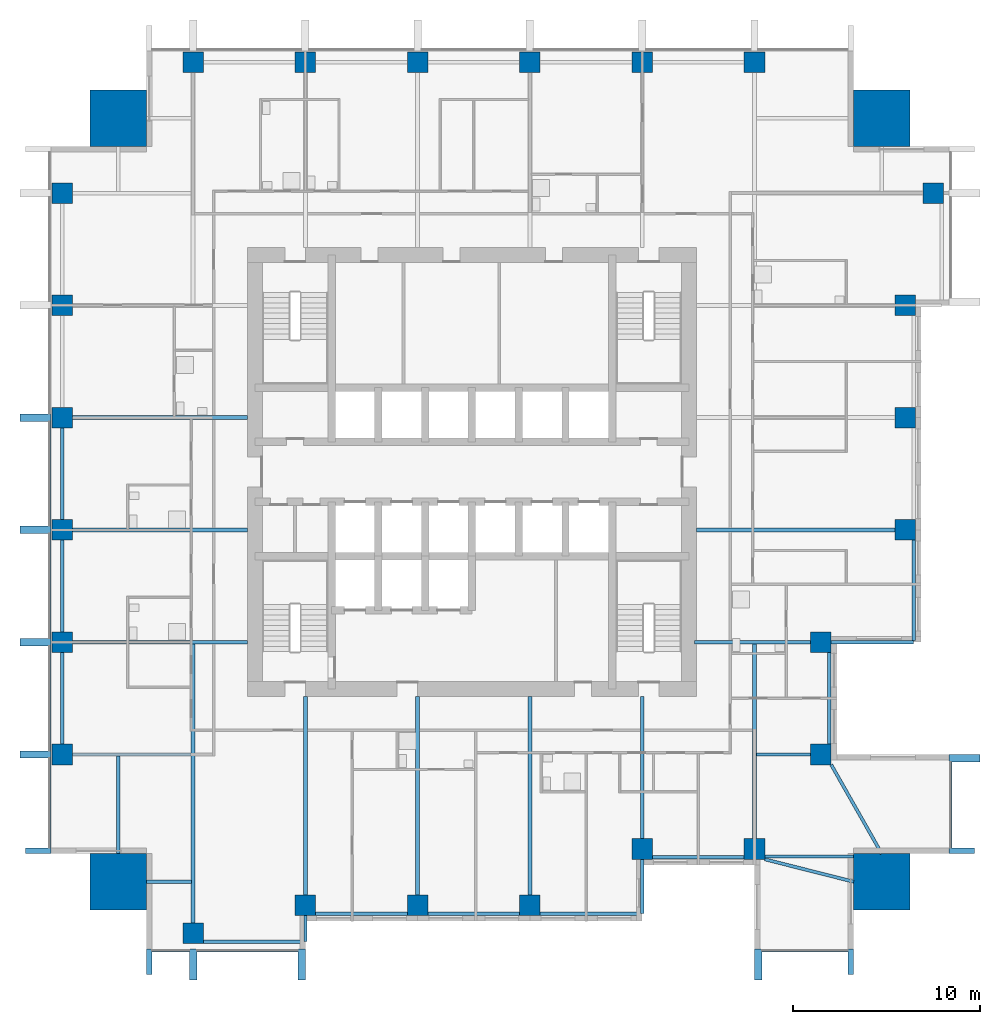
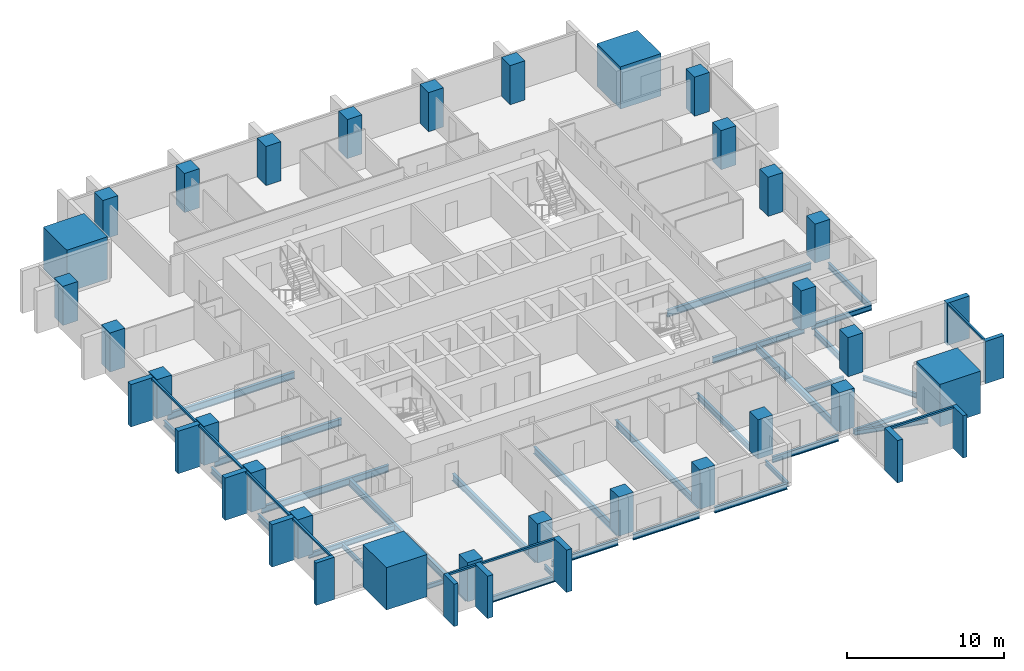
# One storey, part 1 of 10: 31 beams, 28 columns, 20 members, 4 elements without a shape of their own.
"""IFC4 building model written with IfcOpenShell, lengths in metres."""

from ifc_helpers import new_model, si_unit, direction, frame, origin, origin_2d, place, context, subcontext, project, spatial, rectangle, i_section, extrude, material, material_profile, profile_set, type_object, element, aggregate, save


model = new_model("IFC4")

# Units and contexts
model_context = context("Model", 3, precision=1e-05, world=origin(), true_north=direction((0.0, 1.0)))
body_context = subcontext(model_context, "Body", "Model", "MODEL_VIEW")
ifc_project = project(units=[si_unit("LENGTHUNIT", "METRE"), si_unit("AREAUNIT", "SQUARE_METRE"), si_unit("VOLUMEUNIT", "CUBIC_METRE"), si_unit("PLANEANGLEUNIT", "RADIAN"), si_unit("MASSUNIT", "GRAM", prefix="KILO")], contexts=[model_context])

# Site, building, storey
site_placement = place(None, origin())
site = spatial("IfcSite", under=ifc_project, at=site_placement, CompositionType="ELEMENT")
building_placement = place(site_placement, origin())
building = spatial("IfcBuilding", under=site, at=building_placement, Name="Amberfall Residences", CompositionType="ELEMENT")
storey_placement = place(building_placement, frame((0.0, 0.0, 82.0)))
storey = spatial("IfcBuildingStorey", under=building, at=storey_placement, Name="L21", CompositionType="ELEMENT", Elevation=82.0)

# Columns
ifc_material_1 = material(Name="Concrete C70", Category="concrete")
ifc_material_profile_1 = material_profile(ifc_material_1, rectangle(XDim=1.10009765625, YDim=1.10009765625, at=origin_2d()), Name="Column 1100 x 1100 C70")
ifc_profile_set_1 = profile_set([ifc_material_profile_1], Name="Concrete C70")
column_type_1 = type_object("IfcColumnType", Name="Column 1100 x 1100 C70", PredefinedType="COLUMN", material=ifc_profile_set_1)
for number, where, z_axis, x_axis, name in (
    (1, (59.60009765625, 20.85009765625, 0.0), (0.0, 0.0, 1.0), (1.0, 0.0, 0.0), "Column C2 L21 S1"),
    (2, (65.60009765625, 22.35009765625, 0.0), (0.0, 0.0, 1.0), (1.0, 0.0, 0.0), "Column C2 L21 S2"),
    (3, (71.60009765625, 22.35009765625, 0.0), (0.0, 0.0, 1.0), (1.0, 0.0, 0.0), "Column C2 L21 S3"),
    (4, (77.60009765625, 22.35009765625, 0.0), (0.0, 0.0, 1.0), (1.0, 0.0, 0.0), "Column C2 L21 S4"),
    (5, (83.60009765625, 25.35009765625, 0.0), (0.0, 0.0, 1.0), (1.0, 0.0, 0.0), "Column C2 L21 S5"),
    (6, (89.60009765625, 25.35009765625, 0.0), (0.0, 0.0, 1.0), (1.0, 0.0, 0.0), "Column C2 L21 S6"),
    (7, (93.14990234375, 30.39990234375, 0.0), (0.0, 0.0, 1.0), (1.0, 0.0, 0.0), "Column C2 L21 E1"),
    (8, (93.14990234375, 36.39990234375, 0.0), (0.0, 0.0, 1.0), (1.0, 0.0, 0.0), "Column C2 L21 E2"),
    (9, (97.64990234375, 42.39990234375, 0.0), (0.0, 0.0, 1.0), (1.0, 0.0, 0.0), "Column C2 L21 E3"),
    (10, (97.64990234375, 48.39990234375, 0.0), (0.0, 0.0, 1.0), (1.0, 0.0, 0.0), "Column C2 L21 E4"),
    (11, (97.64990234375, 54.39990234375, 0.0), (0.0, 0.0, 1.0), (1.0, 0.0, 0.0), "Column C2 L21 E5"),
    (12, (99.14990234375, 60.39990234375, 0.0), (0.0, 0.0, 1.0), (1.0, 0.0, 0.0), "Column C2 L21 E6"),
    (13, (59.60009765625, 67.39990234375, 0.0), (0.0, 0.0, 1.0), (1.0, 0.0, 0.0), "Column C2 L21 N1"),
    (14, (65.60009765625, 67.39990234375, 0.0), (0.0, 0.0, 1.0), (1.0, 0.0, 0.0), "Column C2 L21 N2"),
    (15, (71.60009765625, 67.39990234375, 0.0), (0.0, 0.0, 1.0), (1.0, 0.0, 0.0), "Column C2 L21 N3"),
    (16, (77.60009765625, 67.39990234375, 0.0), (0.0, 0.0, 1.0), (1.0, 0.0, 0.0), "Column C2 L21 N4"),
    (17, (83.60009765625, 67.39990234375, 0.0), (0.0, 0.0, 1.0), (1.0, 0.0, 0.0), "Column C2 L21 N5"),
    (18, (89.60009765625, 67.39990234375, 0.0), (0.0, 0.0, 1.0), (1.0, 0.0, 0.0), "Column C2 L21 N6"),
    (19, (52.60009765625, 30.39990234375, 0.0), (0.0, 0.0, 1.0), (1.0, 0.0, 0.0), "Column C2 L21 W1"),
    (20, (52.60009765625, 36.39990234375, 0.0), (0.0, 0.0, 1.0), (1.0, 0.0, 0.0), "Column C2 L21 W2"),
    (21, (52.60009765625, 42.39990234375, 0.0), (0.0, 0.0, 1.0), (1.0, 0.0, 0.0), "Column C2 L21 W3"),
    (22, (52.60009765625, 48.39990234375, 0.0), (0.0, 0.0, 1.0), (1.0, 0.0, 0.0), "Column C2 L21 W4"),
    (23, (52.60009765625, 54.39990234375, 0.0), (0.0, 0.0, 1.0), (1.0, 0.0, 0.0), "Column C2 L21 W5"),
    (24, (52.60009765625, 60.39990234375, 0.0), (0.0, 0.0, 1.0), (1.0, 0.0, 0.0), "Column C2 L21 W6"),
):
    element("IfcColumn", number, at=place(storey_placement, frame(where, z_axis=z_axis, x_axis=x_axis)), inside=storey, type_object=column_type_1, Name=name, PredefinedType="COLUMN", context=body_context, shape_type="SweptSolid", body=[
        extrude(rectangle(XDim=1.10009765625, YDim=1.10009765625, at=origin_2d()), origin(), (0.0, 0.0, 1.0), 3.050048828125),
    ])
ifc_material_profile_2 = material_profile(ifc_material_1, rectangle(XDim=3.0, YDim=3.0, at=origin_2d()), Name="Mega column 3000 x 3000 C70")
ifc_profile_set_2 = profile_set([ifc_material_profile_2], Name="Concrete C70")
column_type_2 = type_object("IfcColumnType", Name="Mega column 3000 x 3000 C70", PredefinedType="COLUMN", material=ifc_profile_set_2)
for number, where, z_axis, x_axis, name in (
    (25, (55.60009765625, 23.60009765625, 0.0), (0.0, 0.0, 1.0), (1.0, 0.0, 0.0), "Mega column MC2 L21 SW"),
    (26, (96.39990234375, 23.60009765625, 0.0), (0.0, 0.0, 1.0), (1.0, 0.0, 0.0), "Mega column MC2 L21 SE"),
    (27, (96.39990234375, 64.39990234375, 0.0), (0.0, 0.0, 1.0), (1.0, 0.0, 0.0), "Mega column MC2 L21 NE"),
    (28, (55.60009765625, 64.39990234375, 0.0), (0.0, 0.0, 1.0), (1.0, 0.0, 0.0), "Mega column MC2 L21 NW"),
):
    element("IfcColumn", number, at=place(storey_placement, frame(where, z_axis=z_axis, x_axis=x_axis)), inside=storey, type_object=column_type_2, Name=name, PredefinedType="COLUMN", context=body_context, shape_type="SweptSolid", body=[
        extrude(rectangle(XDim=3.0, YDim=3.0, at=origin_2d()), origin(), (0.0, 0.0, 1.0), 3.300048828125),
    ])

# Curtain wall, members
ifc_material_2 = material(Name="Bronze anodised aluminium and glass", Category="aluminium")
curtain_wall_type = type_object("IfcCurtainWallType", Name="Curtain wall CW1 tower unit", PredefinedType="USERDEFINED", material=ifc_material_2)
curtain_wall_1_placement = place(storey_placement, origin())
curtain_wall_1 = element("IfcCurtainWall", 29, at=curtain_wall_1_placement, inside=storey, type_object=curtain_wall_type, Name="Curtain wall L21 S S1", ObjectType="UNITISED CURTAIN WALL", PredefinedType="USERDEFINED")
ifc_material_3 = material(Name="Bronze anodised aluminium", Category="aluminium")
ifc_material_profile_3 = material_profile(ifc_material_3, rectangle(XDim=0.14990234375, YDim=0.14990234375, at=origin_2d()), Name="CW1 transom 150 x 150 bronze")
ifc_profile_set_3 = profile_set([ifc_material_profile_3], Name="Bronze anodised aluminium")
member_type_1 = type_object("IfcMemberType", Name="CW1 transom 150 x 150 bronze", PredefinedType="USERDEFINED", material=ifc_profile_set_3)
member_1_placement = place(storey_placement, frame((57.39990234375, 19.925048828125, 2.97509765625), z_axis=(1.0, 0.0, 0.0), x_axis=(0.0, 1.0, 0.0)))
member_1 = element("IfcMember", 30, at=member_1_placement, type_object=member_type_1, Name="CW1 transom 1.1", ObjectType="TRANSOM", PredefinedType="USERDEFINED", context=body_context, shape_type="SweptSolid", body=[
    extrude(rectangle(XDim=0.14990234375, YDim=0.14990234375, at=origin_2d()), origin(), (0.0, 0.0, 1.0), 2.0),
])
member_2_placement = place(storey_placement, frame((59.800048828125, 19.925048828125, 2.97509765625), z_axis=(1.0, 0.0, 0.0), x_axis=(0.0, 1.0, 0.0)))
member_2 = element("IfcMember", 31, at=member_2_placement, type_object=member_type_1, Name="CW1 transom 2.1", ObjectType="TRANSOM", PredefinedType="USERDEFINED", context=body_context, shape_type="SweptSolid", body=[
    extrude(rectangle(XDim=0.14990234375, YDim=0.14990234375, at=origin_2d()), origin(), (0.0, 0.0, 1.0), 5.39990234375),
])

# Curtain wall, member
curtain_wall_2_placement = place(storey_placement, origin())
curtain_wall_2 = element("IfcCurtainWall", 32, at=curtain_wall_2_placement, inside=storey, type_object=curtain_wall_type, Name="Curtain wall L21 S S9", ObjectType="UNITISED CURTAIN WALL", PredefinedType="USERDEFINED")
member_3_placement = place(storey_placement, frame((90.0, 19.925048828125, 2.97509765625), z_axis=(1.0, 0.0, 0.0), x_axis=(0.0, 1.0, 0.0)))
member_3 = element("IfcMember", 33, at=member_3_placement, type_object=member_type_1, Name="CW1 transom 1.1", ObjectType="TRANSOM", PredefinedType="USERDEFINED", context=body_context, shape_type="SweptSolid", body=[
    extrude(rectangle(XDim=0.14990234375, YDim=0.14990234375, at=origin_2d()), origin(), (0.0, 0.0, 1.0), 4.60009765625),
])

curtain_wall_3_placement = place(storey_placement, origin())
curtain_wall_3 = element("IfcCurtainWall", 34, at=curtain_wall_3_placement, inside=storey, type_object=curtain_wall_type, Name="Curtain wall L21 E E1", ObjectType="UNITISED CURTAIN WALL", PredefinedType="USERDEFINED")
member_4_placement = place(storey_placement, frame((100.074951171875, 25.39990234375, 2.97509765625), z_axis=(0.0, 1.0, 0.0), x_axis=(-1.0, 0.0, 0.0)))
member_4 = element("IfcMember", 35, at=member_4_placement, type_object=member_type_1, Name="CW1 transom 1.1", ObjectType="TRANSOM", PredefinedType="USERDEFINED", context=body_context, shape_type="SweptSolid", body=[
    extrude(rectangle(XDim=0.14990234375, YDim=0.14990234375, at=origin_2d()), origin(), (0.0, 0.0, 1.0), 4.60009765625),
])

# Curtain wall, members
curtain_wall_4_placement = place(storey_placement, origin())
curtain_wall_4 = element("IfcCurtainWall", 36, at=curtain_wall_4_placement, inside=storey, type_object=curtain_wall_type, Name="Curtain wall L21 W W1", ObjectType="UNITISED CURTAIN WALL", PredefinedType="USERDEFINED")
member_5_placement = place(storey_placement, frame((51.925048828125, 48.199951171875, 2.97509765625), z_axis=(0.0, -1.0, 0.0), x_axis=(1.0, 0.0, 0.0)))
member_5 = element("IfcMember", 37, at=member_5_placement, type_object=member_type_1, Name="CW1 transom 4.1", ObjectType="TRANSOM", PredefinedType="USERDEFINED", context=body_context, shape_type="SweptSolid", body=[
    extrude(rectangle(XDim=0.14990234375, YDim=0.14990234375, at=origin_2d()), origin(), (0.0, 0.0, 1.0), 5.599853515625),
])
member_6_placement = place(storey_placement, frame((51.925048828125, 42.199951171875, 2.97509765625), z_axis=(0.0, -1.0, 0.0), x_axis=(1.0, 0.0, 0.0)))
member_6 = element("IfcMember", 38, at=member_6_placement, type_object=member_type_1, Name="CW1 transom 5.1", ObjectType="TRANSOM", PredefinedType="USERDEFINED", context=body_context, shape_type="SweptSolid", body=[
    extrude(rectangle(XDim=0.14990234375, YDim=0.14990234375, at=origin_2d()), origin(), (0.0, 0.0, 1.0), 5.599853515625),
])
member_7_placement = place(storey_placement, frame((51.925048828125, 36.199951171875, 2.97509765625), z_axis=(0.0, -1.0, 0.0), x_axis=(1.0, 0.0, 0.0)))
member_7 = element("IfcMember", 39, at=member_7_placement, type_object=member_type_1, Name="CW1 transom 6.1", ObjectType="TRANSOM", PredefinedType="USERDEFINED", context=body_context, shape_type="SweptSolid", body=[
    extrude(rectangle(XDim=0.14990234375, YDim=0.14990234375, at=origin_2d()), origin(), (0.0, 0.0, 1.0), 5.599853515625),
])
member_8_placement = place(storey_placement, frame((51.925048828125, 30.199951171875, 2.97509765625), z_axis=(0.0, -1.0, 0.0), x_axis=(1.0, 0.0, 0.0)))
member_8 = element("IfcMember", 40, at=member_8_placement, type_object=member_type_1, Name="CW1 transom 7.1", ObjectType="TRANSOM", PredefinedType="USERDEFINED", context=body_context, shape_type="SweptSolid", body=[
    extrude(rectangle(XDim=0.14990234375, YDim=0.14990234375, at=origin_2d()), origin(), (0.0, 0.0, 1.0), 4.800048828125),
])

# Beams
ifc_material_4 = material(Name="Steel S355", Category="steel")
ifc_material_profile_4 = material_profile(ifc_material_4, i_section(OverallWidth=0.171142578125, OverallDepth=0.351318359375, WebThickness=0.007080078125, FlangeThickness=0.009765625, FilletRadius=0.01025390625, at=origin_2d()), Name="UB 356x171x45")
ifc_profile_set_4 = profile_set([ifc_material_profile_4], Name="Steel S355")
beam_type_1 = type_object("IfcBeamType", Name="Cantilever girder UB 356x171x45", PredefinedType="BEAM", material=ifc_profile_set_4)
beam_1_placement = place(storey_placement, frame((65.60009765625, 21.800048828125, -0.42578125), z_axis=(0.0, -1.0, 0.0), x_axis=(1.0, 0.0, 0.0)))
element("IfcBeam", 41, at=beam_1_placement, inside=storey, type_object=beam_type_1, Name="Cantilever girder B8 L21 06", PredefinedType="BEAM", context=body_context, shape_type="SweptSolid", body=[
    extrude(i_section(OverallWidth=0.171142578125, OverallDepth=0.351318359375, WebThickness=0.007080078125, FlangeThickness=0.009765625, FilletRadius=0.01025390625, at=origin_2d()), origin(), (0.0, 0.0, 1.0), 1.400146484375),
])
beam_2_placement = place(storey_placement, frame((83.60009765625, 24.800048828125, -0.42578125), z_axis=(0.0, -1.0, 0.0), x_axis=(1.0, 0.0, 0.0)))
element("IfcBeam", 42, at=beam_2_placement, inside=storey, type_object=beam_type_1, Name="Cantilever girder B8 L21 07", PredefinedType="BEAM", context=body_context, shape_type="SweptSolid", body=[
    extrude(i_section(OverallWidth=0.171142578125, OverallDepth=0.351318359375, WebThickness=0.007080078125, FlangeThickness=0.009765625, FilletRadius=0.01025390625, at=origin_2d()), origin(), (0.0, 0.0, 1.0), 2.900146484375),
])
ifc_material_profile_5 = material_profile(ifc_material_4, i_section(OverallWidth=0.177734375, OverallDepth=0.402587890625, WebThickness=0.0078125, FlangeThickness=0.010986328125, FilletRadius=0.01025390625, at=origin_2d()), Name="UB 406x178x54")
ifc_profile_set_5 = profile_set([ifc_material_profile_5], Name="Steel S355")
beam_type_2 = type_object("IfcBeamType", Name="Cantilever girder UB 406x178x54", PredefinedType="BEAM", material=ifc_profile_set_5)
beam_3_placement = place(storey_placement, frame((93.699951171875, 36.39990234375, -0.451416015625), z_axis=(1.0, 0.0, 0.0), x_axis=(0.0, 1.0, 0.0)))
element("IfcBeam", 43, at=beam_3_placement, inside=storey, type_object=beam_type_2, Name="Cantilever girder B9 L21 19", PredefinedType="BEAM", context=body_context, shape_type="SweptSolid", body=[
    extrude(i_section(OverallWidth=0.177734375, OverallDepth=0.402587890625, WebThickness=0.0078125, FlangeThickness=0.010986328125, FilletRadius=0.01025390625, at=origin_2d()), origin(), (0.0, 0.0, 1.0), 4.400146484375),
])

# Member
ifc_material_profile_6 = material_profile(ifc_material_3, rectangle(XDim=1.35009765625, YDim=0.300048828125, at=origin_2d()), Name="Corner fin 300 x 1350 bronze")
ifc_profile_set_6 = profile_set([ifc_material_profile_6], Name="Bronze anodised aluminium")
member_type_2 = type_object("IfcMemberType", Name="Corner fin 300 x 1350 bronze", PredefinedType="MULLION", material=ifc_profile_set_6)
member_9_placement = place(storey_placement, frame((57.25, 19.324951171875, -0.25), z_axis=(0.0, 0.0, 1.0), x_axis=(0.0, 1.0, 0.0)))
member_9 = element("IfcMember", 44, at=member_9_placement, type_object=member_type_2, Name="CW FIN 1", PredefinedType="MULLION", context=body_context, shape_type="SweptSolid", body=[
    extrude(rectangle(XDim=1.35009765625, YDim=0.300048828125, at=origin_2d()), origin(), (0.0, 0.0, 1.0), 3.300048828125),
])

member_10_placement = place(storey_placement, frame((94.75, 19.324951171875, -0.25), z_axis=(0.0, 0.0, 1.0), x_axis=(0.0, 1.0, 0.0)))
member_10 = element("IfcMember", 45, at=member_10_placement, type_object=member_type_2, Name="CW FIN 2", PredefinedType="MULLION", context=body_context, shape_type="SweptSolid", body=[
    extrude(rectangle(XDim=1.35009765625, YDim=0.300048828125, at=origin_2d()), origin(), (0.0, 0.0, 1.0), 3.300048828125),
])

member_11_placement = place(storey_placement, frame((100.675048828125, 25.25, -0.25), z_axis=(0.0, 0.0, 1.0), x_axis=(-1.0, 0.0, 0.0)))
member_11 = element("IfcMember", 46, at=member_11_placement, type_object=member_type_2, Name="CW FIN 1", PredefinedType="MULLION", context=body_context, shape_type="SweptSolid", body=[
    extrude(rectangle(XDim=1.35009765625, YDim=0.300048828125, at=origin_2d()), origin(), (0.0, 0.0, 1.0), 3.300048828125),
])

member_12_placement = place(storey_placement, frame((51.324951171875, 25.25, -0.25), z_axis=(0.0, 0.0, 1.0), x_axis=(1.0, 0.0, 0.0)))
member_12 = element("IfcMember", 47, at=member_12_placement, type_object=member_type_2, Name="CW FIN 8", PredefinedType="MULLION", context=body_context, shape_type="SweptSolid", body=[
    extrude(rectangle(XDim=1.35009765625, YDim=0.300048828125, at=origin_2d()), origin(), (0.0, 0.0, 1.0), 3.300048828125),
])

# Beams
ifc_material_profile_7 = material_profile(ifc_material_4, i_section(OverallWidth=0.18994140625, OverallDepth=0.453369140625, WebThickness=0.008544921875, FlangeThickness=0.0126953125, FilletRadius=0.01025390625, at=origin_2d()), Name="UB 457x191x67")
ifc_profile_set_7 = profile_set([ifc_material_profile_7], Name="Steel S355")
beam_type_3 = type_object("IfcBeamType", Name="Edge beam UB 457x191x67", PredefinedType="SPANDREL", material=ifc_profile_set_7)
beam_4_placement = place(storey_placement, frame((60.14990234375, 20.39990234375, -0.476806640625), z_axis=(1.0, 0.0, 0.0), x_axis=(0.0, 1.0, 0.0)))
element("IfcBeam", 48, at=beam_4_placement, inside=storey, type_object=beam_type_3, Name="Edge beam B1 L21 01", PredefinedType="SPANDREL", context=body_context, shape_type="SweptSolid", body=[
    extrude(i_section(OverallWidth=0.18994140625, OverallDepth=0.453369140625, WebThickness=0.008544921875, FlangeThickness=0.0126953125, FilletRadius=0.01025390625, at=origin_2d()), origin(), (0.0, 0.0, 1.0), 5.3701171875),
])
for number, where, z_axis, x_axis, name in (
    (49, (66.14990234375, 21.89990234375, -0.476806640625), (1.0, 0.0, 0.0), (0.0, 1.0, 0.0), "Edge beam B1 L21 02"),
    (50, (72.14990234375, 21.89990234375, -0.476806640625), (1.0, 0.0, 0.0), (0.0, 1.0, 0.0), "Edge beam B1 L21 03"),
):
    element("IfcBeam", number, at=place(storey_placement, frame(where, z_axis=z_axis, x_axis=x_axis)), inside=storey, type_object=beam_type_3, Name=name, PredefinedType="SPANDREL", context=body_context, shape_type="SweptSolid", body=[
        extrude(i_section(OverallWidth=0.18994140625, OverallDepth=0.453369140625, WebThickness=0.008544921875, FlangeThickness=0.0126953125, FilletRadius=0.01025390625, at=origin_2d()), origin(), (0.0, 0.0, 1.0), 4.900146484375),
    ])
beam_5_placement = place(storey_placement, frame((78.14990234375, 21.89990234375, -0.476806640625), z_axis=(1.0, 0.0, 0.0), x_axis=(0.0, 1.0, 0.0)))
element("IfcBeam", 51, at=beam_5_placement, inside=storey, type_object=beam_type_3, Name="Edge beam B1 L21 04", PredefinedType="SPANDREL", context=body_context, shape_type="SweptSolid", body=[
    extrude(i_section(OverallWidth=0.18994140625, OverallDepth=0.453369140625, WebThickness=0.008544921875, FlangeThickness=0.0126953125, FilletRadius=0.01025390625, at=origin_2d()), origin(), (0.0, 0.0, 1.0), 5.3701171875),
])
for number, where, z_axis, x_axis, name in (
    (52, (84.14990234375, 24.89990234375, -0.476806640625), (1.0, 0.0, 0.0), (0.0, 1.0, 0.0), "Edge beam B1 L21 05"),
    (53, (93.60009765625, 30.949951171875, -0.476806640625), (0.0, 1.0, 0.0), (-1.0, 0.0, 0.0), "Edge beam B1 L21 14"),
):
    element("IfcBeam", number, at=place(storey_placement, frame(where, z_axis=z_axis, x_axis=x_axis)), inside=storey, type_object=beam_type_3, Name=name, PredefinedType="SPANDREL", context=body_context, shape_type="SweptSolid", body=[
        extrude(i_section(OverallWidth=0.18994140625, OverallDepth=0.453369140625, WebThickness=0.008544921875, FlangeThickness=0.0126953125, FilletRadius=0.01025390625, at=origin_2d()), origin(), (0.0, 0.0, 1.0), 4.900146484375),
    ])
beam_6_placement = place(storey_placement, frame((98.10009765625, 36.47998046875, -0.476806640625), z_axis=(0.0, 1.0, 0.0), x_axis=(-1.0, 0.0, 0.0)))
element("IfcBeam", 54, at=beam_6_placement, inside=storey, type_object=beam_type_3, Name="Edge beam B1 L21 15", PredefinedType="SPANDREL", context=body_context, shape_type="SweptSolid", body=[
    extrude(i_section(OverallWidth=0.18994140625, OverallDepth=0.453369140625, WebThickness=0.008544921875, FlangeThickness=0.0126953125, FilletRadius=0.01025390625, at=origin_2d()), origin(), (0.0, 0.0, 1.0), 5.3701171875),
])
for number, where, z_axis, x_axis, name in (
    (55, (52.60009765625, 30.949951171875, -0.476806640625), (0.0, 1.0, 0.0), (-1.0, 0.0, 0.0), "Edge beam B1 L21 38"),
    (56, (52.60009765625, 36.949951171875, -0.476806640625), (0.0, 1.0, 0.0), (-1.0, 0.0, 0.0), "Edge beam B1 L21 39"),
    (57, (52.60009765625, 42.949951171875, -0.476806640625), (0.0, 1.0, 0.0), (-1.0, 0.0, 0.0), "Edge beam B1 L21 40"),
):
    element("IfcBeam", number, at=place(storey_placement, frame(where, z_axis=z_axis, x_axis=x_axis)), inside=storey, type_object=beam_type_3, Name=name, PredefinedType="SPANDREL", context=body_context, shape_type="SweptSolid", body=[
        extrude(i_section(OverallWidth=0.18994140625, OverallDepth=0.453369140625, WebThickness=0.008544921875, FlangeThickness=0.0126953125, FilletRadius=0.01025390625, at=origin_2d()), origin(), (0.0, 0.0, 1.0), 4.900146484375),
    ])

# Member
ifc_material_profile_8 = material_profile(ifc_material_3, rectangle(XDim=1.64990234375, YDim=0.39990234375, at=origin_2d()), Name="Fin 400 x 1650 bronze")
ifc_profile_set_8 = profile_set([ifc_material_profile_8], Name="Bronze anodised aluminium")
member_type_3 = type_object("IfcMemberType", Name="Fin 400 x 1650 bronze", PredefinedType="MULLION", material=ifc_profile_set_8)
member_13_placement = place(storey_placement, frame((59.60009765625, 19.175048828125, -0.25), z_axis=(0.0, 0.0, 1.0), x_axis=(0.0, 1.0, 0.0)))
member_13 = element("IfcMember", 58, at=member_13_placement, type_object=member_type_3, Name="CW FIN 2", PredefinedType="MULLION", context=body_context, shape_type="SweptSolid", body=[
    extrude(rectangle(XDim=1.64990234375, YDim=0.39990234375, at=origin_2d()), origin(), (0.0, 0.0, 1.0), 3.300048828125),
])

member_14_placement = place(storey_placement, frame((65.39990234375, 19.175048828125, -0.25), z_axis=(0.0, 0.0, 1.0), x_axis=(0.0, 1.0, 0.0)))
member_14 = element("IfcMember", 59, at=member_14_placement, type_object=member_type_3, Name="CW FIN 3", PredefinedType="MULLION", context=body_context, shape_type="SweptSolid", body=[
    extrude(rectangle(XDim=1.64990234375, YDim=0.39990234375, at=origin_2d()), origin(), (0.0, 0.0, 1.0), 3.300048828125),
])

aggregate(curtain_wall_1, [member_9, member_13, member_14, member_1, member_2])

member_15_placement = place(storey_placement, frame((89.800048828125, 19.175048828125, -0.25), z_axis=(0.0, 0.0, 1.0), x_axis=(0.0, 1.0, 0.0)))
member_15 = element("IfcMember", 60, at=member_15_placement, type_object=member_type_3, Name="CW FIN 1", PredefinedType="MULLION", context=body_context, shape_type="SweptSolid", body=[
    extrude(rectangle(XDim=1.64990234375, YDim=0.39990234375, at=origin_2d()), origin(), (0.0, 0.0, 1.0), 3.300048828125),
])

aggregate(curtain_wall_2, [member_15, member_10, member_3])

member_16_placement = place(storey_placement, frame((100.824951171875, 30.199951171875, -0.25), z_axis=(0.0, 0.0, 1.0), x_axis=(-1.0, 0.0, 0.0)))
member_16 = element("IfcMember", 61, at=member_16_placement, type_object=member_type_3, Name="CW FIN 2", PredefinedType="MULLION", context=body_context, shape_type="SweptSolid", body=[
    extrude(rectangle(XDim=1.64990234375, YDim=0.39990234375, at=origin_2d()), origin(), (0.0, 0.0, 1.0), 3.300048828125),
])

aggregate(curtain_wall_3, [member_11, member_16, member_4])

member_17_placement = place(storey_placement, frame((51.175048828125, 48.39990234375, -0.25), z_axis=(0.0, 0.0, 1.0), x_axis=(1.0, 0.0, 0.0)))
member_17 = element("IfcMember", 62, at=member_17_placement, type_object=member_type_3, Name="CW FIN 4", PredefinedType="MULLION", context=body_context, shape_type="SweptSolid", body=[
    extrude(rectangle(XDim=1.64990234375, YDim=0.39990234375, at=origin_2d()), origin(), (0.0, 0.0, 1.0), 3.300048828125),
])

member_18_placement = place(storey_placement, frame((51.175048828125, 42.39990234375, -0.25), z_axis=(0.0, 0.0, 1.0), x_axis=(1.0, 0.0, 0.0)))
member_18 = element("IfcMember", 63, at=member_18_placement, type_object=member_type_3, Name="CW FIN 5", PredefinedType="MULLION", context=body_context, shape_type="SweptSolid", body=[
    extrude(rectangle(XDim=1.64990234375, YDim=0.39990234375, at=origin_2d()), origin(), (0.0, 0.0, 1.0), 3.300048828125),
])

member_19_placement = place(storey_placement, frame((51.175048828125, 36.39990234375, -0.25), z_axis=(0.0, 0.0, 1.0), x_axis=(1.0, 0.0, 0.0)))
member_19 = element("IfcMember", 64, at=member_19_placement, type_object=member_type_3, Name="CW FIN 6", PredefinedType="MULLION", context=body_context, shape_type="SweptSolid", body=[
    extrude(rectangle(XDim=1.64990234375, YDim=0.39990234375, at=origin_2d()), origin(), (0.0, 0.0, 1.0), 3.300048828125),
])

member_20_placement = place(storey_placement, frame((51.175048828125, 30.39990234375, -0.25), z_axis=(0.0, 0.0, 1.0), x_axis=(1.0, 0.0, 0.0)))
member_20 = element("IfcMember", 65, at=member_20_placement, type_object=member_type_3, Name="CW FIN 7", PredefinedType="MULLION", context=body_context, shape_type="SweptSolid", body=[
    extrude(rectangle(XDim=1.64990234375, YDim=0.39990234375, at=origin_2d()), origin(), (0.0, 0.0, 1.0), 3.300048828125),
])

aggregate(curtain_wall_4, [member_17, member_18, member_19, member_20, member_12, member_5, member_6, member_7, member_8])

# Beams
ifc_material_profile_9 = material_profile(ifc_material_4, i_section(OverallWidth=0.171142578125, OverallDepth=0.351318359375, WebThickness=0.007080078125, FlangeThickness=0.009765625, FilletRadius=0.01025390625, at=origin_2d()), Name="UB 356x171x45")
ifc_profile_set_9 = profile_set([ifc_material_profile_9], Name="Steel S355")
beam_type_4 = type_object("IfcBeamType", Name="Floor girder UB 356x171x45", PredefinedType="BEAM", material=ifc_profile_set_9)
beam_7_placement = place(storey_placement, frame((92.60009765625, 30.39990234375, -0.42578125), z_axis=(-1.0, 0.0, 0.0), x_axis=(0.0, -1.0, 0.0)))
element("IfcBeam", 66, at=beam_7_placement, inside=storey, type_object=beam_type_4, Name="Floor girder B11 L21 21", PredefinedType="BEAM", context=body_context, shape_type="SweptSolid", body=[
    extrude(i_section(OverallWidth=0.171142578125, OverallDepth=0.351318359375, WebThickness=0.007080078125, FlangeThickness=0.009765625, FilletRadius=0.01025390625, at=origin_2d()), origin(), (0.0, 0.0, 1.0), 2.880126953125),
])
ifc_material_profile_10 = material_profile(ifc_material_4, i_section(OverallWidth=0.177734375, OverallDepth=0.402587890625, WebThickness=0.0078125, FlangeThickness=0.010986328125, FilletRadius=0.01025390625, at=origin_2d()), Name="UB 406x178x54")
ifc_profile_set_10 = profile_set([ifc_material_profile_10], Name="Steel S355")
beam_type_5 = type_object("IfcBeamType", Name="Floor girder UB 406x178x54", PredefinedType="BEAM", material=ifc_profile_set_10)
beam_8_placement = place(storey_placement, frame((53.14990234375, 30.39990234375, -0.451416015625), z_axis=(1.0, 0.0, 0.0), x_axis=(0.0, 1.0, 0.0)))
element("IfcBeam", 67, at=beam_8_placement, inside=storey, type_object=beam_type_5, Name="Floor girder B4 L21 43", PredefinedType="BEAM", context=body_context, shape_type="SweptSolid", body=[
    extrude(i_section(OverallWidth=0.177734375, OverallDepth=0.402587890625, WebThickness=0.0078125, FlangeThickness=0.010986328125, FilletRadius=0.01025390625, at=origin_2d()), origin(), (0.0, 0.0, 1.0), 6.330078125),
])
ifc_material_profile_11 = material_profile(ifc_material_4, i_section(OverallWidth=0.19140625, OverallDepth=0.4599609375, WebThickness=0.010009765625, FlangeThickness=0.01611328125, FilletRadius=0.01025390625, at=origin_2d()), Name="UB 457x191x82")
ifc_profile_set_11 = profile_set([ifc_material_profile_11], Name="Steel S355")
beam_type_6 = type_object("IfcBeamType", Name="Floor girder UB 457x191x82", PredefinedType="BEAM", material=ifc_profile_set_11)
beam_9_placement = place(storey_placement, frame((83.60009765625, 25.89990234375, -0.47998046875), z_axis=(0.0, 1.0, 0.0), x_axis=(-1.0, 0.0, 0.0)))
element("IfcBeam", 68, at=beam_9_placement, inside=storey, type_object=beam_type_6, Name="Floor girder B10 L21 12", PredefinedType="BEAM", context=body_context, shape_type="SweptSolid", body=[
    extrude(i_section(OverallWidth=0.19140625, OverallDepth=0.4599609375, WebThickness=0.010009765625, FlangeThickness=0.01611328125, FilletRadius=0.01025390625, at=origin_2d()), origin(), (0.0, 0.0, 1.0), 7.60009765625),
])
beam_10_placement = place(storey_placement, frame((93.14990234375, 36.39990234375, -0.47998046875), z_axis=(-1.0, 0.0, 0.0), x_axis=(0.0, -1.0, 0.0)))
element("IfcBeam", 69, at=beam_10_placement, inside=storey, type_object=beam_type_6, Name="Floor girder B10 L21 22", PredefinedType="BEAM", context=body_context, shape_type="SweptSolid", body=[
    extrude(i_section(OverallWidth=0.19140625, OverallDepth=0.4599609375, WebThickness=0.010009765625, FlangeThickness=0.01611328125, FilletRadius=0.01025390625, at=origin_2d()), origin(), (0.0, 0.0, 1.0), 6.75),
])
ifc_material_profile_12 = material_profile(ifc_material_4, i_section(OverallWidth=0.210693359375, OverallDepth=0.53955078125, WebThickness=0.01171875, FlangeThickness=0.018798828125, FilletRadius=0.0126953125, at=origin_2d()), Name="UB 533x210x109")
ifc_profile_set_12 = profile_set([ifc_material_profile_12], Name="Steel S355")
beam_type_7 = type_object("IfcBeamType", Name="Floor girder UB 533x210x109", PredefinedType="BEAM", material=ifc_profile_set_12)
beam_11_placement = place(storey_placement, frame((59.60009765625, 21.39990234375, -0.519775390625), z_axis=(0.0, 1.0, 0.0), x_axis=(-1.0, 0.0, 0.0)))
element("IfcBeam", 70, at=beam_11_placement, inside=storey, type_object=beam_type_7, Name="Floor girder B2 L21 08", PredefinedType="BEAM", context=body_context, shape_type="SweptSolid", body=[
    extrude(i_section(OverallWidth=0.210693359375, OverallDepth=0.53955078125, WebThickness=0.01171875, FlangeThickness=0.018798828125, FilletRadius=0.0126953125, at=origin_2d()), origin(), (0.0, 0.0, 1.0), 14.900390625),
])
ifc_material_profile_13 = material_profile(ifc_material_4, i_section(OverallWidth=0.209228515625, OverallDepth=0.533203125, WebThickness=0.010009765625, FlangeThickness=0.015625, FilletRadius=0.0126953125, at=origin_2d()), Name="UB 533x210x92")
ifc_profile_set_13 = profile_set([ifc_material_profile_13], Name="Steel S355")
beam_type_8 = type_object("IfcBeamType", Name="Floor girder UB 533x210x92", PredefinedType="BEAM", material=ifc_profile_set_13)
for number, where, z_axis, x_axis, name in (
    (71, (65.60009765625, 22.89990234375, -0.5166015625), (0.0, 1.0, 0.0), (-1.0, 0.0, 0.0), "Floor girder B3 L21 09"),
    (72, (71.60009765625, 22.89990234375, -0.5166015625), (0.0, 1.0, 0.0), (-1.0, 0.0, 0.0), "Floor girder B3 L21 10"),
    (73, (77.60009765625, 22.89990234375, -0.5166015625), (0.0, 1.0, 0.0), (-1.0, 0.0, 0.0), "Floor girder B3 L21 11"),
):
    element("IfcBeam", number, at=place(storey_placement, frame(where, z_axis=z_axis, x_axis=x_axis)), inside=storey, type_object=beam_type_8, Name=name, PredefinedType="BEAM", context=body_context, shape_type="SweptSolid", body=[
        extrude(i_section(OverallWidth=0.209228515625, OverallDepth=0.533203125, WebThickness=0.010009765625, FlangeThickness=0.015625, FilletRadius=0.0126953125, at=origin_2d()), origin(), (0.0, 0.0, 1.0), 10.60009765625),
    ])
beam_12_placement = place(storey_placement, frame((89.60009765625, 25.89990234375, -0.5166015625), z_axis=(0.0, 1.0, 0.0), x_axis=(-1.0, 0.0, 0.0)))
element("IfcBeam", 74, at=beam_12_placement, inside=storey, type_object=beam_type_8, Name="Floor girder B3 L21 13", PredefinedType="BEAM", context=body_context, shape_type="SweptSolid", body=[
    extrude(i_section(OverallWidth=0.209228515625, OverallDepth=0.533203125, WebThickness=0.010009765625, FlangeThickness=0.015625, FilletRadius=0.0126953125, at=origin_2d()), origin(), (0.0, 0.0, 1.0), 10.409423828125),
])
beam_13_placement = place(storey_placement, frame((97.10009765625, 42.39990234375, -0.5166015625), z_axis=(-1.0, 0.0, 0.0), x_axis=(0.0, -1.0, 0.0)))
element("IfcBeam", 75, at=beam_13_placement, inside=storey, type_object=beam_type_8, Name="Floor girder B3 L21 23", PredefinedType="BEAM", context=body_context, shape_type="SweptSolid", body=[
    extrude(i_section(OverallWidth=0.209228515625, OverallDepth=0.533203125, WebThickness=0.010009765625, FlangeThickness=0.015625, FilletRadius=0.0126953125, at=origin_2d()), origin(), (0.0, 0.0, 1.0), 10.60009765625),
])
for number, where, z_axis, x_axis, name in (
    (76, (53.14990234375, 36.39990234375, -0.5166015625), (1.0, 0.0, 0.0), (0.0, 1.0, 0.0), "Floor girder B3 L21 44"),
    (77, (53.14990234375, 42.39990234375, -0.5166015625), (1.0, 0.0, 0.0), (0.0, 1.0, 0.0), "Floor girder B3 L21 45"),
    (78, (53.14990234375, 48.39990234375, -0.5166015625), (1.0, 0.0, 0.0), (0.0, 1.0, 0.0), "Floor girder B3 L21 46"),
):
    element("IfcBeam", number, at=place(storey_placement, frame(where, z_axis=z_axis, x_axis=x_axis)), inside=storey, type_object=beam_type_8, Name=name, PredefinedType="BEAM", context=body_context, shape_type="SweptSolid", body=[
        extrude(i_section(OverallWidth=0.209228515625, OverallDepth=0.533203125, WebThickness=0.010009765625, FlangeThickness=0.015625, FilletRadius=0.0126953125, at=origin_2d()), origin(), (0.0, 0.0, 1.0), 9.35009765625),
    ])
ifc_material_profile_14 = material_profile(ifc_material_4, i_section(OverallWidth=0.171142578125, OverallDepth=0.351318359375, WebThickness=0.007080078125, FlangeThickness=0.009765625, FilletRadius=0.01025390625, at=origin_2d()), Name="UB 356x171x45")
ifc_profile_set_14 = profile_set([ifc_material_profile_14], Name="Steel S355")
beam_type_9 = type_object("IfcBeamType", Name="Link beam UB 356x171x45", PredefinedType="BEAM", material=ifc_profile_set_14)
beam_14_placement = place(storey_placement, frame((90.14990234375, 24.949951171875, -0.42578125), z_axis=(1.0, 0.0, 0.0), x_axis=(0.0, 1.0, 0.0)))
element("IfcBeam", 79, at=beam_14_placement, inside=storey, type_object=beam_type_9, Name="Link beam B7 L21 49", PredefinedType="BEAM", context=body_context, shape_type="SweptSolid", body=[
    extrude(i_section(OverallWidth=0.171142578125, OverallDepth=0.351318359375, WebThickness=0.007080078125, FlangeThickness=0.009765625, FilletRadius=0.01025390625, at=origin_2d()), origin(), (0.0, 0.0, 1.0), 4.75),
])
beam_15_placement = place(storey_placement, frame((57.10009765625, 23.60009765625, -0.42578125), z_axis=(1.0, 0.0, 0.0), x_axis=(0.0, 1.0, 0.0)))
element("IfcBeam", 80, at=beam_15_placement, inside=storey, type_object=beam_type_9, Name="Link beam B7 L21 50", PredefinedType="BEAM", context=body_context, shape_type="SweptSolid", body=[
    extrude(i_section(OverallWidth=0.171142578125, OverallDepth=0.351318359375, WebThickness=0.007080078125, FlangeThickness=0.009765625, FilletRadius=0.01025390625, at=origin_2d()), origin(), (0.0, 0.0, 1.0), 2.404541015625),
])
beam_16_placement = place(storey_placement, frame((55.60009765625, 25.10009765625, -0.42578125), z_axis=(0.0, 1.0, 0.0), x_axis=(-1.0, 0.0, 0.0)))
element("IfcBeam", 81, at=beam_16_placement, inside=storey, type_object=beam_type_9, Name="Link beam B7 L21 51", PredefinedType="BEAM", context=body_context, shape_type="SweptSolid", body=[
    extrude(i_section(OverallWidth=0.171142578125, OverallDepth=0.351318359375, WebThickness=0.007080078125, FlangeThickness=0.009765625, FilletRadius=0.01025390625, at=origin_2d()), origin(), (0.0, 0.0, 1.0), 5.22119140625),
])
beam_17_placement = place(storey_placement, frame((94.89990234375, 23.60009765625, -0.42578125), z_axis=(-0.969541561087, 0.244926848928, 0.0), x_axis=(-0.244926848928, -0.969541561087, 0.0)))
element("IfcBeam", 82, at=beam_17_placement, inside=storey, type_object=beam_type_9, Name="Link beam B7 L21 52", PredefinedType="BEAM", context=body_context, shape_type="SweptSolid", body=[
    extrude(i_section(OverallWidth=0.171142578125, OverallDepth=0.351318359375, WebThickness=0.007080078125, FlangeThickness=0.009765625, FilletRadius=0.01025390625, at=origin_2d()), origin(), (0.0, 0.0, 1.0), 4.899169921875),
])
beam_18_placement = place(storey_placement, frame((96.39990234375, 25.10009765625, -0.42578125), z_axis=(-0.494159870511, 0.869371049884, 0.0), x_axis=(-0.869371049884, -0.494159870511, 0.0)))
element("IfcBeam", 83, at=beam_18_placement, inside=storey, type_object=beam_type_9, Name="Link beam B7 L21 53", PredefinedType="BEAM", context=body_context, shape_type="SweptSolid", body=[
    extrude(i_section(OverallWidth=0.171142578125, OverallDepth=0.351318359375, WebThickness=0.007080078125, FlangeThickness=0.009765625, FilletRadius=0.01025390625, at=origin_2d()), origin(), (0.0, 0.0, 1.0), 5.463623046875),
])

save(model, "model.ifc")
